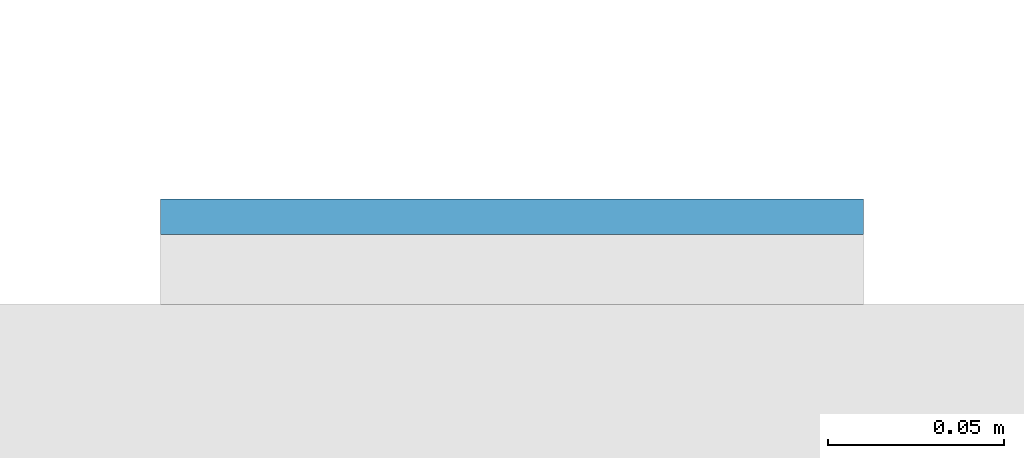
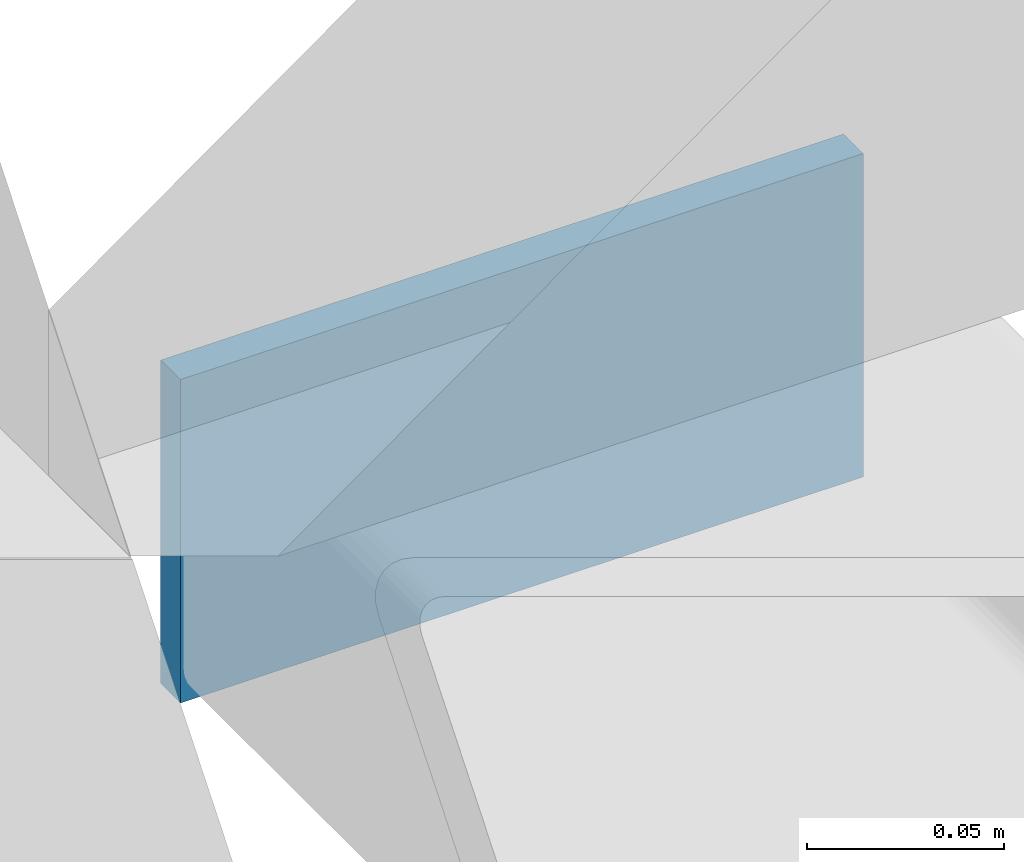
# One storey, part 11 of 20: 1 plate.
"""IFC4 building model written with IfcOpenShell, lengths in metres."""

from ifc_helpers import new_model, si_unit, direction, frame, origin, origin_2d, place, context, subcontext, project, spatial, rectangle, extrude, material, layer, layer_set, type_object, element, save


model = new_model("IFC4")

# Units and contexts
model_context = context("Model", 3, precision=1e-05, world=origin(), true_north=direction((0.0, 1.0)))
body_context = subcontext(model_context, "Body", "Model", "MODEL_VIEW")
ifc_project = project(units=[si_unit("LENGTHUNIT", "METRE"), si_unit("AREAUNIT", "SQUARE_METRE"), si_unit("VOLUMEUNIT", "CUBIC_METRE"), si_unit("PLANEANGLEUNIT", "RADIAN"), si_unit("MASSUNIT", "GRAM", prefix="KILO")], contexts=[model_context])

# Site, building, storey
site_placement = place(None, origin())
site = spatial("IfcSite", under=ifc_project, at=site_placement, CompositionType="ELEMENT")
building_placement = place(site_placement, origin())
building = spatial("IfcBuilding", under=site, at=building_placement, Name="Cleftline Residences", CompositionType="ELEMENT")
storey_placement = place(building_placement, frame((0.0, 0.0, 211.0)))
storey = spatial("IfcBuildingStorey", under=building, at=storey_placement, Name="L55", CompositionType="ELEMENT", Elevation=211.0)

# Plate
ifc_material = material(Name="Steel S355, hot-dip galvanised", Category="steel")
ifc_layer = layer(ifc_material, 0.010009765625)
ifc_layer_set = layer_set([ifc_layer], Name="BAGUETTE CARRIER END PLATE 200X100X10")
plate_type = type_object("IfcPlateType", Name="BAGUETTE CARRIER END PLATE 200X100X10", PredefinedType="USERDEFINED", material=ifc_layer_set)
plate_placement = place(storey_placement, frame((66.85009765625, 44.304931640625, -0.10009765625), z_axis=(0.0, 0.0, 1.0), x_axis=(1.0, 0.0, 0.0)))
element("IfcPlate", 1, at=plate_placement, inside=storey, type_object=plate_type, Name="Baguette carrier end plate", ObjectType="BAGUETTE CARRIER END PLATE", PredefinedType="USERDEFINED", context=body_context, shape_type="SweptSolid", body=[
    extrude(rectangle(XDim=0.199951171875, YDim=0.010009765625, at=origin_2d()), origin(), (0.0, 0.0, 1.0), 0.10009765625),
])

save(model, "model.ifc")
